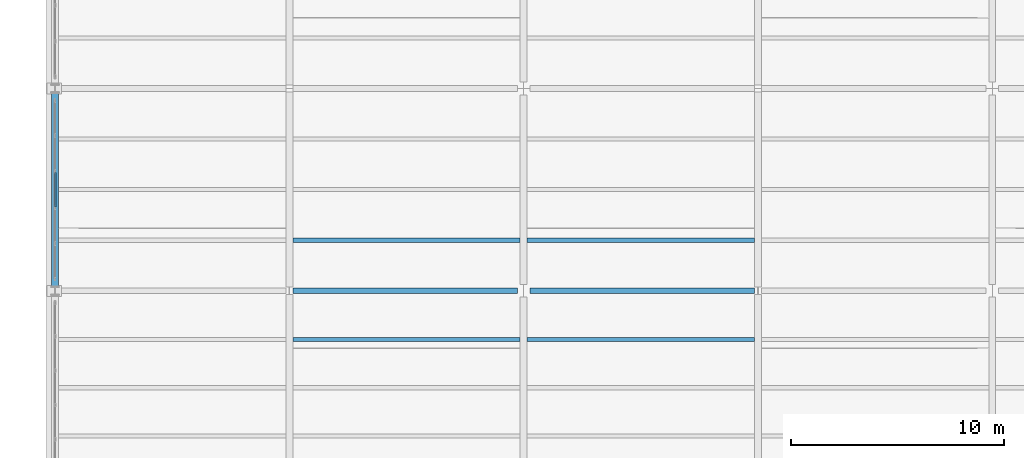
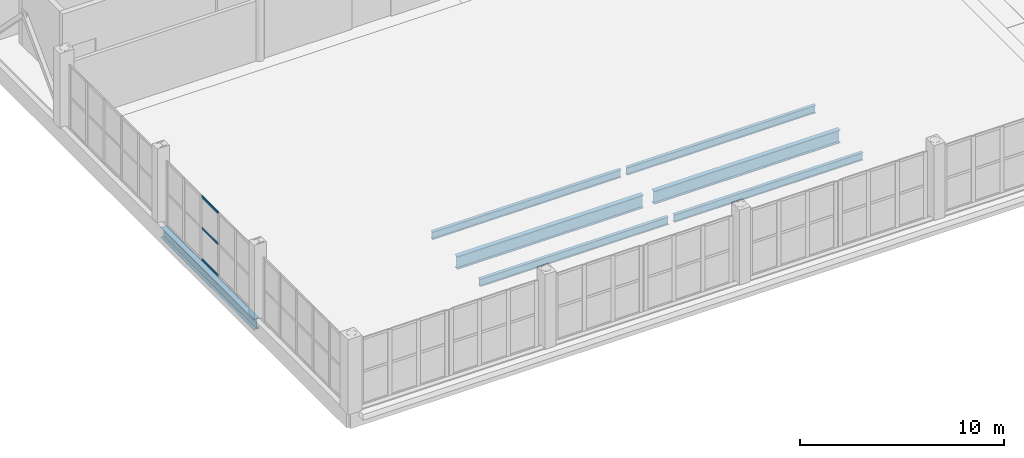
# One storey, part 22 of 156: 7 beams, 3 members, 1 element without a shape of its own.
"""IFC4 building model written with IfcOpenShell, lengths in metres."""

from ifc_helpers import new_model, si_unit, direction, frame, origin, origin_2d, place, context, subcontext, project, spatial, hollow_rectangle, i_section, extrude, material, material_profile, profile_set, type_object, element, aggregate, save


model = new_model("IFC4")

# Units and contexts
model_context = context("Model", 3, precision=1e-05, world=origin(), true_north=direction((0.0, 1.0)))
body_context = subcontext(model_context, "Body", "Model", "MODEL_VIEW")
ifc_project = project(units=[si_unit("LENGTHUNIT", "METRE"), si_unit("AREAUNIT", "SQUARE_METRE"), si_unit("VOLUMEUNIT", "CUBIC_METRE"), si_unit("PLANEANGLEUNIT", "RADIAN"), si_unit("MASSUNIT", "GRAM", prefix="KILO")], contexts=[model_context])

# Site, building, storey
site_placement = place(None, origin())
site = spatial("IfcSite", under=ifc_project, at=site_placement, CompositionType="ELEMENT")
building_placement = place(site_placement, origin())
building = spatial("IfcBuilding", under=site, at=building_placement, Name="Caurita Quay Ferry Terminal", CompositionType="ELEMENT")
storey_placement = place(building_placement, frame((0.0, 0.0, 5.39990234375)))
storey = spatial("IfcBuildingStorey", under=building, at=storey_placement, Name="L01", CompositionType="ELEMENT", Elevation=5.39990234375)

# Beams
ifc_material_1 = material(Name="Structural steel ASTM A992 Gr. 50", Category="steel")
ifc_material_profile_1 = material_profile(ifc_material_1, i_section(OverallWidth=0.3251953125, OverallDepth=0.612060546875, WebThickness=0.0126953125, FlangeThickness=0.01904296875, FilletRadius=0.01513671875, at=origin_2d()), Name="W24X104")
ifc_profile_set_1 = profile_set([ifc_material_profile_1], Name="Structural steel ASTM A992 Gr. 50")
beam_type_1 = type_object("IfcBeamType", Name="BM-GR-W24A", PredefinedType="BEAM", material=ifc_profile_set_1)
beam_placement = place(storey_placement, frame((0.0, 43.877197265625, -0.60595703125), z_axis=(0.0, 1.0, 0.0), x_axis=(-1.0, 0.0, 0.0)))
element("IfcBeam", 1, at=beam_placement, inside=storey, type_object=beam_type_1, Name="L01 Beam BM-V1-L01-Y-0-439", PredefinedType="BEAM", context=body_context, shape_type="SweptSolid", body=[
    extrude(i_section(OverallWidth=0.3251953125, OverallDepth=0.612060546875, WebThickness=0.0126953125, FlangeThickness=0.01904296875, FilletRadius=0.01513671875, at=origin_2d()), origin(), (0.0, 0.0, 1.0), 9.145751953125),
])
ifc_material_profile_2 = material_profile(ifc_material_1, i_section(OverallWidth=0.2666015625, OverallDepth=0.77978515625, WebThickness=0.0166015625, FlangeThickness=0.030029296875, FilletRadius=0.01904296875, at=origin_2d()), Name="W30X148")
ifc_profile_set_2 = profile_set([ifc_material_profile_2], Name="Structural steel ASTM A992 Gr. 50")
beam_type_2 = type_object("IfcBeamType", Name="BM-GR-W30A", PredefinedType="BEAM", material=ifc_profile_set_2)
for number, where, z_axis, x_axis, name in (
    (2, (11.17041015625, 43.699951171875, -0.689697265625), (1.0, 0.0, 0.0), (0.0, 1.0, 0.0), "L01 Beam BM-V1-L01-X-112-437"),
    (3, (22.297607421875, 43.699951171875, -0.689697265625), (1.0, 0.0, 0.0), (0.0, 1.0, 0.0), "L01 Beam BM-V1-L01-X-223-437"),
):
    element("IfcBeam", number, at=place(storey_placement, frame(where, z_axis=z_axis, x_axis=x_axis)), inside=storey, type_object=beam_type_2, Name=name, PredefinedType="BEAM", context=body_context, shape_type="SweptSolid", body=[
        extrude(i_section(OverallWidth=0.2666015625, OverallDepth=0.77978515625, WebThickness=0.0166015625, FlangeThickness=0.030029296875, FilletRadius=0.01904296875, at=origin_2d()), origin(), (0.0, 0.0, 1.0), 10.531982421875),
    ])
ifc_material_profile_3 = material_profile(ifc_material_1, i_section(OverallWidth=0.1904296875, OverallDepth=0.457275390625, WebThickness=0.009033203125, FlangeThickness=0.014404296875, FilletRadius=0.0126953125, at=origin_2d()), Name="W18X50")
ifc_profile_set_3 = profile_set([ifc_material_profile_3], Name="Structural steel ASTM A992 Gr. 50")
beam_type_3 = type_object("IfcBeamType", Name="BM-JS-W18B", PredefinedType="JOIST", material=ifc_profile_set_3)
for number, where, z_axis, x_axis, name in (
    (4, (11.16259765625, 41.425048828125, -0.528564453125), (1.0, 0.0, 0.0), (0.0, 1.0, 0.0), "L01 Beam JS-V1-L01-012"),
    (5, (11.16259765625, 46.074951171875, -0.528564453125), (1.0, 0.0, 0.0), (0.0, 1.0, 0.0), "L01 Beam JS-V1-L01-013"),
    (6, (22.16259765625, 41.425048828125, -0.528564453125), (1.0, 0.0, 0.0), (0.0, 1.0, 0.0), "L01 Beam JS-V1-L01-022"),
    (7, (22.16259765625, 46.074951171875, -0.528564453125), (1.0, 0.0, 0.0), (0.0, 1.0, 0.0), "L01 Beam JS-V1-L01-023"),
):
    element("IfcBeam", number, at=place(storey_placement, frame(where, z_axis=z_axis, x_axis=x_axis)), inside=storey, type_object=beam_type_3, Name=name, PredefinedType="JOIST", context=body_context, shape_type="SweptSolid", body=[
        extrude(i_section(OverallWidth=0.1904296875, OverallDepth=0.457275390625, WebThickness=0.009033203125, FlangeThickness=0.014404296875, FilletRadius=0.0126953125, at=origin_2d()), origin(), (0.0, 0.0, 1.0), 10.6748046875),
    ])

# Curtain wall, members
ifc_material_2 = material(Name="Laminated solar-control insulated glass", Category="glass")
curtain_wall_type = type_object("IfcCurtainWallType", Name="CW-SYS-12", PredefinedType="NOTDEFINED", material=ifc_material_2)
curtain_wall_placement = place(storey_placement, origin())
curtain_wall = element("IfcCurtainWall", 8, at=curtain_wall_placement, inside=storey, type_object=curtain_wall_type, Name="Concourse Gable Curtain Wall 078", PredefinedType="NOTDEFINED")
ifc_material_3 = material(Name="Anodized aluminium 6063-T6", Category="aluminium")
ifc_material_profile_4 = material_profile(ifc_material_3, hollow_rectangle(XDim=0.06005859375, YDim=0.114990234375, WallThickness=0.00341796875, at=origin_2d()), Name="ALU-TRN-60X115")
ifc_profile_set_4 = profile_set([ifc_material_profile_4], Name="Anodized aluminium 6063-T6")
member_type = type_object("IfcMemberType", Name="CW-TRN-115", PredefinedType="USERDEFINED", material=ifc_profile_set_4)
member_1_placement = place(storey_placement, frame((0.0, 47.634521484375, 0.030029296875), z_axis=(0.0, 1.0, 0.0), x_axis=(-1.0, 0.0, 0.0)))
member_1 = element("IfcMember", 9, at=member_1_placement, type_object=member_type, Name="CW-GBL-078 Transom 7", ObjectType="TRANSOM", PredefinedType="USERDEFINED", context=body_context, shape_type="SweptSolid", body=[
    extrude(hollow_rectangle(XDim=0.06005859375, YDim=0.114990234375, WallThickness=0.00341796875, at=origin_2d()), origin(), (0.0, 0.0, 1.0), 1.630859375),
])
member_2_placement = place(storey_placement, frame((0.0, 47.634521484375, 1.900146484375), z_axis=(0.0, 1.0, 0.0), x_axis=(-1.0, 0.0, 0.0)))
member_2 = element("IfcMember", 10, at=member_2_placement, type_object=member_type, Name="CW-GBL-078 Transom 8", ObjectType="TRANSOM", PredefinedType="USERDEFINED", context=body_context, shape_type="SweptSolid", body=[
    extrude(hollow_rectangle(XDim=0.06005859375, YDim=0.114990234375, WallThickness=0.00341796875, at=origin_2d()), origin(), (0.0, 0.0, 1.0), 1.630859375),
])
member_3_placement = place(storey_placement, frame((0.0, 47.634521484375, 3.77001953125), z_axis=(0.0, 1.0, 0.0), x_axis=(-1.0, 0.0, 0.0)))
member_3 = element("IfcMember", 11, at=member_3_placement, type_object=member_type, Name="CW-GBL-078 Transom 9", ObjectType="TRANSOM", PredefinedType="USERDEFINED", context=body_context, shape_type="SweptSolid", body=[
    extrude(hollow_rectangle(XDim=0.06005859375, YDim=0.114990234375, WallThickness=0.00341796875, at=origin_2d()), origin(), (0.0, 0.0, 1.0), 1.630859375),
])
aggregate(curtain_wall, [member_1, member_2, member_3])

save(model, "model.ifc")
